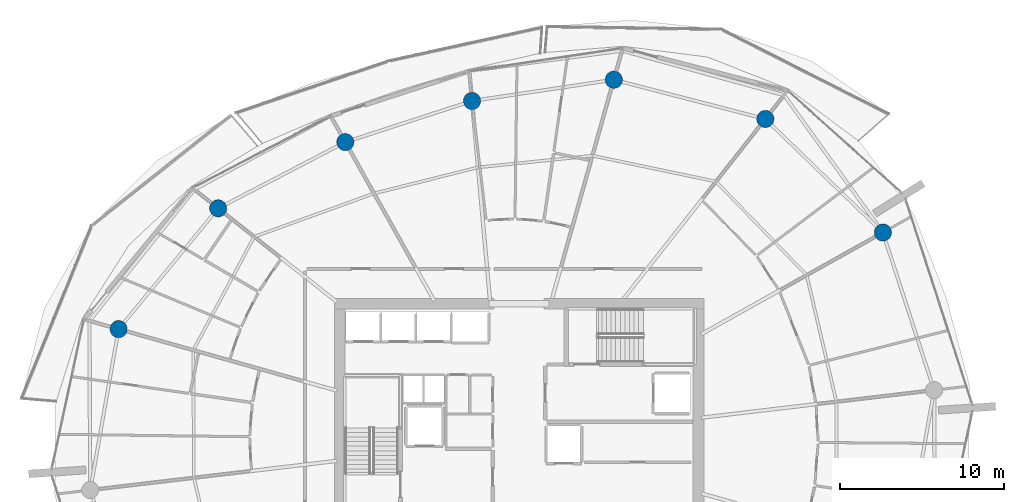
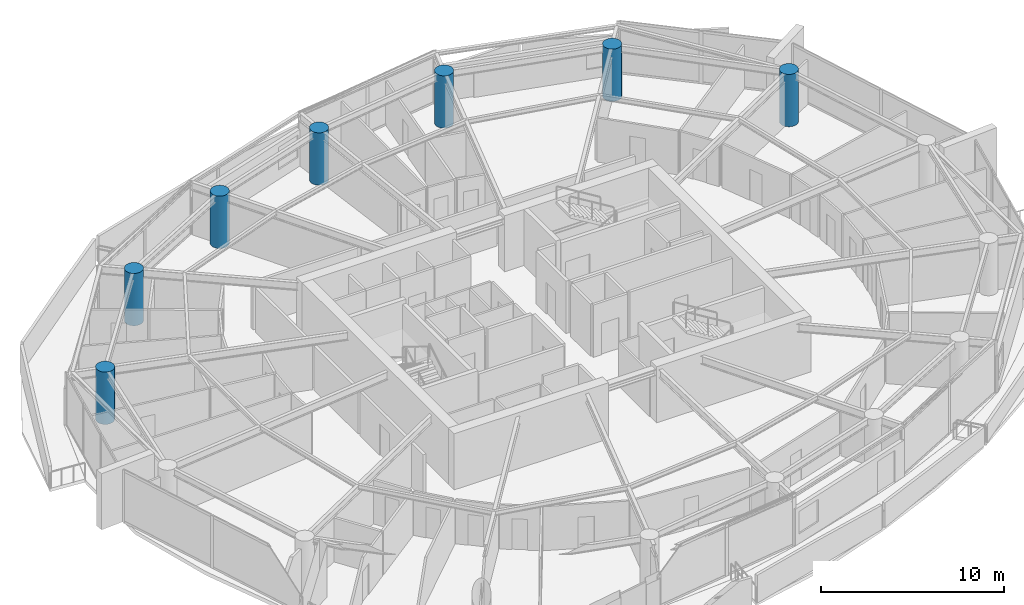
# One storey, part 4 of 20: 7 columns.
"""IFC4 building model written with IfcOpenShell, lengths in metres."""

from ifc_helpers import new_model, si_unit, direction, frame, origin, origin_2d, place, context, subcontext, project, spatial, circle, extrude, material, material_profile, profile_set, type_object, element, save


model = new_model("IFC4")

# Units and contexts
model_context = context("Model", 3, precision=1e-05, world=origin(), true_north=direction((0.0, 1.0)))
body_context = subcontext(model_context, "Body", "Model", "MODEL_VIEW")
ifc_project = project(units=[si_unit("LENGTHUNIT", "METRE"), si_unit("AREAUNIT", "SQUARE_METRE"), si_unit("VOLUMEUNIT", "CUBIC_METRE"), si_unit("PLANEANGLEUNIT", "RADIAN"), si_unit("MASSUNIT", "GRAM", prefix="KILO")], contexts=[model_context])

# Site, building, storey
site_placement = place(None, origin())
site = spatial("IfcSite", under=ifc_project, at=site_placement, CompositionType="ELEMENT")
building_placement = place(site_placement, origin())
building = spatial("IfcBuilding", under=site, at=building_placement, Name="Kazma Halo Residences", CompositionType="ELEMENT")
storey_placement = place(building_placement, frame((0.0, 0.0, 202.800048828125)))
storey = spatial("IfcBuildingStorey", under=building, at=storey_placement, Name="L51", CompositionType="ELEMENT", Elevation=202.800048828125)

# Columns
ifc_material = material(Name="Concrete C80/95", Category="concrete")
ifc_material_profile = material_profile(ifc_material, circle(Radius=0.52490234375, at=origin_2d()), Name="CIRC1050")
ifc_profile_set = profile_set([ifc_material_profile], Name="Concrete C80/95")
column_type = type_object("IfcColumnType", Name="COL-PERIM-1050", PredefinedType="COLUMN", material=ifc_profile_set)
for number, where, z_axis, x_axis, name in (
    (1, (70.625, 54.670654296875, 0.0), (0.0, 0.0, 1.0), (1.0, 0.0, 0.0), "L51 perimeter ring column P01"),
    (2, (63.45068359375, 61.598876953125, 0.0), (0.0, 0.0, 1.0), (1.0, 0.0, 0.0), "L51 perimeter ring column P02"),
    (3, (54.202392578125, 63.99169921875, 0.0), (0.0, 0.0, 1.0), (1.0, 0.0, 0.0), "L51 perimeter ring column P03"),
    (4, (45.550048828125, 62.69970703125, 0.0), (0.0, 0.0, 1.0), (1.0, 0.0, 0.0), "L51 perimeter ring column P04"),
    (5, (37.815185546875, 60.186279296875, 0.0), (0.0, 0.0, 1.0), (1.0, 0.0, 0.0), "L51 perimeter ring column P05"),
    (6, (30.055908203125, 56.14599609375, 0.0), (0.0, 0.0, 1.0), (1.0, 0.0, 0.0), "L51 perimeter ring column P06"),
    (7, (23.980224609375, 48.7744140625, 0.0), (0.0, 0.0, 1.0), (1.0, 0.0, 0.0), "L51 perimeter ring column P07"),
):
    element("IfcColumn", number, at=place(storey_placement, frame(where, z_axis=z_axis, x_axis=x_axis)), inside=storey, type_object=column_type, Name=name, PredefinedType="COLUMN", context=body_context, shape_type="SweptSolid", body=[
        extrude(circle(Radius=0.52490234375, at=origin_2d()), origin(), (0.0, 0.0, 1.0), 3.5),
    ])

save(model, "model.ifc")
